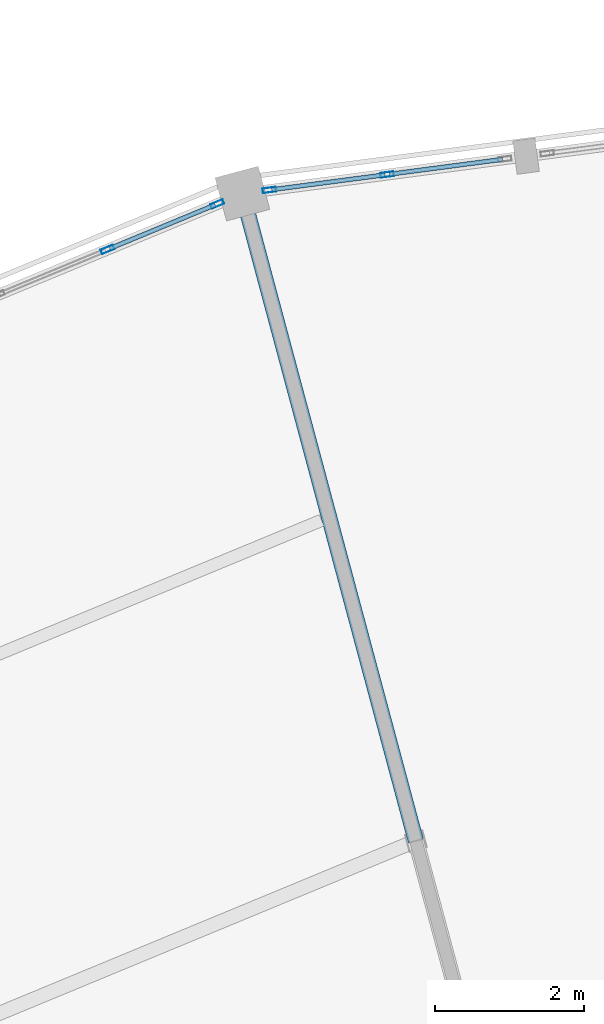
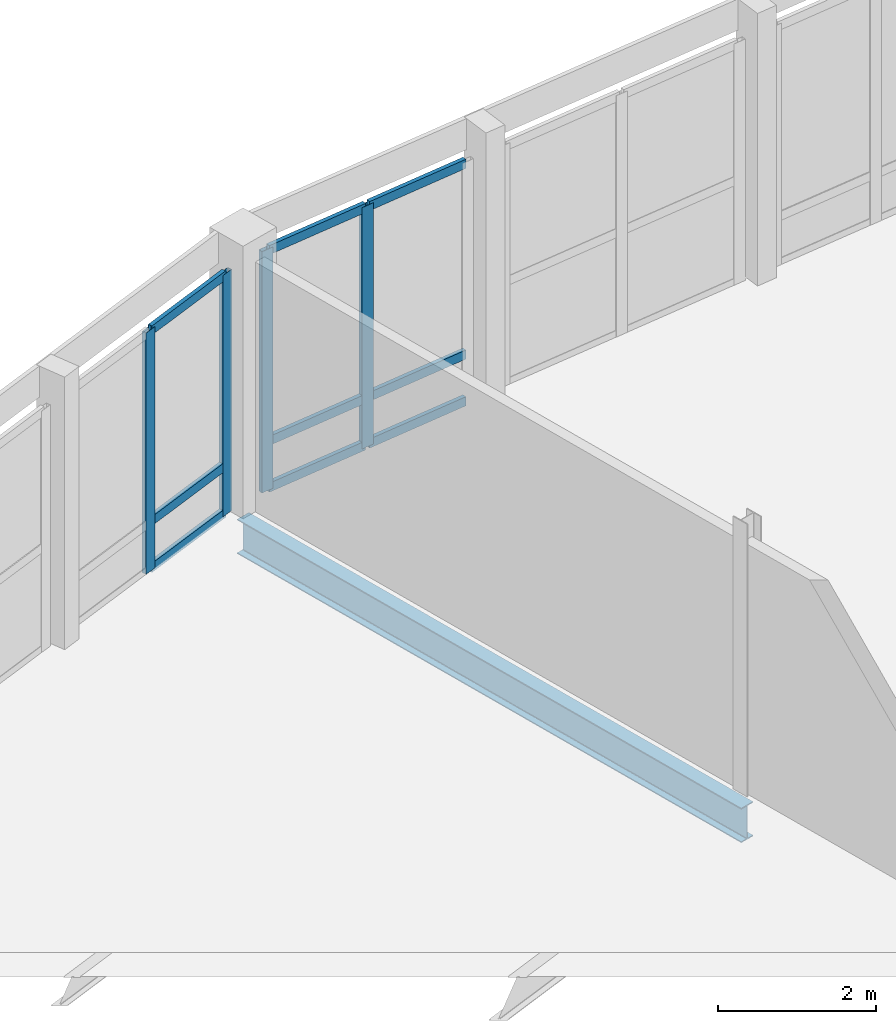
# One storey, part 96 of 200: 13 members, 1 beam, 2 elements without a shape of their own.
"""IFC4 building model written with IfcOpenShell, lengths in metres."""

import ifcopenshell
import ifcopenshell.guid

model = None  # the IFC model being written
_history = None  # IfcOwnerHistory: only IFC2X3 demands one
_inside = {}  # id of a spatial element -> (the spatial element, [elements in it])
_under = {}  # id of a project, library or spatial element -> (it, [spatial elements below it])
_declared = {}  # id of a project -> (the project, [libraries it declares])
_typed = {}  # id of a type object -> (the type object, [elements of that type])
_made_of = {}  # id of a material, layer set ... -> (it, [elements and type objects made of it])


def new_model(schema):
    """Start an empty IFC model of exactly this schema.

    Asked for "IFC4X3", IfcOpenShell would pick the latest addendum, in which some entities
    have other attributes; the version numbers below select the first issue.
    IFC2X3 requires an IfcOwnerHistory on every rooted entity: one is made here for all.
    """
    global model, _history
    if schema == "IFC4X3":
        model = ifcopenshell.file(schema_version=(4, 3, 0, 0))
    else:
        model = ifcopenshell.file(schema=schema)
    _inside.clear()
    _under.clear()
    _declared.clear()
    _typed.clear()
    _made_of.clear()
    _history = None
    if model.schema == "IFC2X3":
        org = make("IfcOrganization", Name="unknown")
        user = make(
            "IfcPersonAndOrganization",
            ThePerson=make("IfcPerson", FamilyName="unknown"),
            TheOrganization=org,
        )
        app = make(
            "IfcApplication",
            ApplicationDeveloper=org,
            Version="unknown",
            ApplicationFullName="unknown",
            ApplicationIdentifier="unknown",
        )
        _history = make(
            "IfcOwnerHistory",
            OwningUser=user,
            OwningApplication=app,
            ChangeAction="ADDED",
            CreationDate=0,
        )
    return model


def make(cls, **values):
    """One entity of the class cls with the attributes given. An attribute that is None is left unset."""
    return model.create_entity(
        cls, **{name: value for name, value in values.items() if value is not None}
    )


def rooted(cls, **values):
    """An entity with a GlobalId (a new one), such as an element, a storey or a relation."""
    return make(cls, GlobalId=ifcopenshell.guid.new(), OwnerHistory=_history, **values)


def si_unit(unit_type, name, prefix=None):
    """IfcSIUnit, for example si_unit("LENGTHUNIT", "METRE", prefix="MILLI")."""
    return make("IfcSIUnit", UnitType=unit_type, Prefix=prefix, Name=name)


def assignment(units):
    """IfcUnitAssignment: the units of a project."""
    return None if units is None else make("IfcUnitAssignment", Units=units)


def point(xyz):
    """IfcCartesianPoint."""
    return None if xyz is None else make("IfcCartesianPoint", Coordinates=xyz)


def direction(xyz):
    """IfcDirection."""
    return None if xyz is None else make("IfcDirection", DirectionRatios=xyz)


def frame(location, z_axis=None, x_axis=None):
    """IfcAxis2Placement3D, a coordinate frame: its origin and axes. An axis left out is left unset."""
    return make(
        "IfcAxis2Placement3D",
        Location=point(location),
        Axis=direction(z_axis),
        RefDirection=direction(x_axis),
    )


def frame_2d(location, x_axis=None):
    """IfcAxis2Placement2D, a coordinate frame in the plane: its origin and x axis."""
    return make(
        "IfcAxis2Placement2D", Location=point(location), RefDirection=direction(x_axis)
    )


def origin():
    """The frame at (0, 0, 0) with its axes left unset."""
    return frame((0.0, 0.0, 0.0))


def origin_2d():
    """The frame at (0, 0) in the plane with its x axis left unset."""
    return frame_2d((0.0, 0.0))


def place(relative_to, where):
    """IfcLocalPlacement: puts the frame where relative to a parent placement (None: the world)."""
    return make(
        "IfcLocalPlacement", PlacementRelTo=relative_to, RelativePlacement=where
    )


def context(
    kind, dimensions, precision=None, world=None, true_north=None, identifier=None
):
    """IfcGeometricRepresentationContext, for example the 3D "Model" context."""
    return make(
        "IfcGeometricRepresentationContext",
        ContextIdentifier=identifier,
        ContextType=kind,
        CoordinateSpaceDimension=dimensions,
        Precision=precision,
        WorldCoordinateSystem=world,
        TrueNorth=true_north,
    )


def subcontext(parent, identifier, kind, view, scale=None):
    """IfcGeometricRepresentationSubContext, for example "Body" below "Model"."""
    return make(
        "IfcGeometricRepresentationSubContext",
        ContextIdentifier=identifier,
        ContextType=kind,
        ParentContext=parent,
        TargetScale=scale,
        TargetView=view,
    )


def project(units=None, contexts=None):
    """IfcProject with its units and contexts."""
    return rooted(
        "IfcProject",
        Name="project",
        RepresentationContexts=contexts,
        UnitsInContext=assignment(units),
    )


def spatial(cls, under=None, at=None, **own):
    """A site, building, storey or space (cls), placed at a placement, below another one or the project."""
    s = rooted(cls, ObjectPlacement=at, **own)
    if under is not None:
        _under.setdefault(under.id(), (under, []))[1].append(s)
    return s


def profile(cls, at=None, kind="AREA", **sizes):
    """A parametric profile (cls). Its sizes go by their IFC names, for example OverallWidth=200.0."""
    return make(cls, ProfileType=kind, Position=at, **sizes)


def hollow_rectangle(**sizes):
    """IfcRectangleHollowProfileDef."""
    return profile("IfcRectangleHollowProfileDef", **sizes)


def i_section(**sizes):
    """IfcIShapeProfileDef."""
    return profile("IfcIShapeProfileDef", **sizes)


def extrude(swept, where, along, depth):
    """IfcExtrudedAreaSolid: the profile swept, set in the frame where, extruded along a direction by depth."""
    return make(
        "IfcExtrudedAreaSolid",
        SweptArea=swept,
        Position=where,
        ExtrudedDirection=direction(along),
        Depth=depth,
    )


def shape(context_of_items, identifier, shape_type, items):
    """IfcShapeRepresentation: the items that make up one representation, for example the "Body"."""
    return make(
        "IfcShapeRepresentation",
        ContextOfItems=context_of_items,
        RepresentationIdentifier=identifier,
        RepresentationType=shape_type,
        Items=items,
    )


def material(Name=None, Category=None):
    """IfcMaterial."""
    return make("IfcMaterial", Name=Name, Category=Category)


def material_profile(
    of_material, cross_section, Name=None, Category=None, Priority=None
):
    """IfcMaterialProfile: a cross section and its material."""
    return make(
        "IfcMaterialProfile",
        Name=Name,
        Material=of_material,
        Profile=cross_section,
        Priority=Priority,
        Category=Category,
    )


def profile_set(profiles, Name=None, composite=None):
    """IfcMaterialProfileSet."""
    return make(
        "IfcMaterialProfileSet",
        Name=Name,
        MaterialProfiles=profiles,
        CompositeProfile=composite,
    )


def made_of(thing, what):
    """Note that an element or type object is made of a material, layer set ...; save() writes the relation."""
    if what is not None:
        _made_of.setdefault(what.id(), (what, []))[1].append(thing)
    return thing


def type_object(cls, material=None, **own):
    """A type object (cls), such as IfcWallType, which elements share."""
    return made_of(rooted(cls, **own), material)


def element(
    cls,
    number,
    at=None,
    inside=None,
    cuts=None,
    type_object=None,
    material=None,
    context=None,
    identifier="Body",
    shape_type=None,
    held_by="IfcProductDefinitionShape",
    body=None,
    shapes=None,
    **own,
):
    """One element of the class cls, such as IfcWall. Its Tag is "e" and its number.

    at: its placement. inside: the storey or other place that contains it. cuts: it is an
    opening in that element (IfcRelVoidsElement). A single representation is given by context,
    identifier, shape_type and body (its items); several are given by shapes. held_by: the class
    of the entity that holds the representations. save() writes the other relations.
    """
    e = rooted(cls, Tag="e%d" % number, ObjectPlacement=at, **own)
    if body is not None:
        shapes = [shape(context, identifier, shape_type, body)]
    if shapes is not None:
        e.Representation = make(held_by, Representations=shapes)
    if inside is not None:
        _inside.setdefault(inside.id(), (inside, []))[1].append(e)
    if cuts is not None:
        rooted(
            "IfcRelVoidsElement", RelatingBuildingElement=cuts, RelatedOpeningElement=e
        )
    if type_object is not None:
        _typed.setdefault(type_object.id(), (type_object, []))[1].append(e)
    return made_of(e, material)


def aggregate(whole, parts):
    """IfcRelAggregates: a whole, such as a stair, and the parts it consists of."""
    return rooted("IfcRelAggregates", RelatingObject=whole, RelatedObjects=parts)


def save(model, path):
    """Write the relations noted so far, then the file.

    IfcRelAggregates (storeys below a building ...), IfcRelContainedInSpatialStructure (elements
    in a storey), IfcRelDefinesByType, IfcRelAssociatesMaterial and IfcRelDeclares: one each for
    every whole, place, type object, material and project.
    """
    for whole, parts in _under.values():
        aggregate(whole, parts)
    for where, things in _inside.values():
        rooted(
            "IfcRelContainedInSpatialStructure",
            RelatedElements=things,
            RelatingStructure=where,
        )
    for kind, things in _typed.values():
        rooted("IfcRelDefinesByType", RelatedObjects=things, RelatingType=kind)
    for what, things in _made_of.values():
        rooted("IfcRelAssociatesMaterial", RelatedObjects=things, RelatingMaterial=what)
    for by, libraries in _declared.values():
        rooted("IfcRelDeclares", RelatingContext=by, RelatedDefinitions=libraries)
    model.write(path)


model = new_model("IFC4")

# Units and contexts
model_context = context("Model", 3, precision=1e-05, world=origin(), true_north=direction((0.0, 1.0)))
body_context = subcontext(model_context, "Body", "Model", "MODEL_VIEW")
ifc_project = project(units=[si_unit("LENGTHUNIT", "METRE"), si_unit("AREAUNIT", "SQUARE_METRE"), si_unit("VOLUMEUNIT", "CUBIC_METRE"), si_unit("PLANEANGLEUNIT", "RADIAN"), si_unit("MASSUNIT", "GRAM", prefix="KILO")], contexts=[model_context])

# Site, building, storey
site_placement = place(None, origin())
site = spatial("IfcSite", under=ifc_project, at=site_placement, CompositionType="ELEMENT")
building_placement = place(site_placement, origin())
building = spatial("IfcBuilding", under=site, at=building_placement, Name="Vondelvale Polytechnic", CompositionType="ELEMENT")
storey_placement = place(building_placement, frame((0.0, 0.0, 13.800048828125)))
storey = spatial("IfcBuildingStorey", under=building, at=storey_placement, Name="L03", CompositionType="ELEMENT", Elevation=13.800048828125)

# Beam
ifc_material_1 = material(Name="Steel 300PLUS (fy = 300 MPa)", Category="steel")
ifc_material_profile_1 = material_profile(ifc_material_1, i_section(OverallWidth=0.208984375, OverallDepth=0.532958984375, WebThickness=0.01025390625, FlangeThickness=0.015625, FilletRadius=0.013916015625, at=origin_2d()), Name="530UB92.4")
ifc_profile_set_1 = profile_set([ifc_material_profile_1], Name="Steel 300PLUS (fy = 300 MPa)")
beam_type = type_object("IfcBeamType", Name="BM-UB530", PredefinedType="BEAM", material=ifc_profile_set_1)
beam_placement = place(storey_placement, frame((92.423583984375, 107.7392578125, -0.5166015625), z_axis=(-0.25881563226, 0.965926740751, 0.0), x_axis=(-0.965926740751, -0.25881563226, 0.0)))
element("IfcBeam", 1, at=beam_placement, inside=storey, type_object=beam_type, Name="L03 RG B-11", PredefinedType="BEAM", context=body_context, shape_type="SweptSolid", body=[
    extrude(i_section(OverallWidth=0.208984375, OverallDepth=0.532958984375, WebThickness=0.01025390625, FlangeThickness=0.015625, FilletRadius=0.013916015625, at=origin_2d()), origin(), (0.0, 0.0, 1.0), 9.0),
])

# Curtain wall, members
ifc_material_2 = material(Name="Glulam GL18 structural Tasmanian oak (fb = 42 MPa)", Category="wood")
curtain_wall_type = type_object("IfcCurtainWallType", Name="CW-RING-OUTER", PredefinedType="NOTDEFINED", material=ifc_material_2)
curtain_wall_1_placement = place(storey_placement, origin())
curtain_wall_1 = element("IfcCurtainWall", 2, at=curtain_wall_1_placement, inside=storey, type_object=curtain_wall_type, Name="L03 architectural curtain wall CW-04-166", PredefinedType="NOTDEFINED")
ifc_material_3 = material(Name="Anodised extruded aluminium 6063-T6", Category="aluminium")
ifc_material_profile_2 = material_profile(ifc_material_3, hollow_rectangle(XDim=0.06494140625, YDim=0.179931640625, WallThickness=0.00390625, at=origin_2d()), Name="CW-MUL-180x65")
ifc_profile_set_2 = profile_set([ifc_material_profile_2], Name="Anodised extruded aluminium 6063-T6")
member_type_1 = type_object("IfcMemberType", Name="CW-MUL-65x180", PredefinedType="MULLION", material=ifc_profile_set_2)
member_1_placement = place(storey_placement, frame((92.037841796875, 116.6884765625, 0.0), z_axis=(0.0, 0.0, 1.0), x_axis=(0.130539547729, -0.991443102996, 0.0)))
member_1 = element("IfcMember", 3, at=member_1_placement, type_object=member_type_1, Name="CW-04-166 mullion 2", PredefinedType="MULLION", context=body_context, shape_type="SweptSolid", body=[
    extrude(hollow_rectangle(XDim=0.06494140625, YDim=0.179931640625, WallThickness=0.00390625, at=origin_2d()), origin(), (0.0, 0.0, 1.0), 3.719970703125),
])
member_2_placement = place(storey_placement, frame((90.45654296875, 116.480224609375, 0.0), z_axis=(0.0, 0.0, 1.0), x_axis=(0.130539547729, -0.991443102996, 0.0)))
member_2 = element("IfcMember", 4, at=member_2_placement, type_object=member_type_1, Name="CW-04-166 mullion 3", PredefinedType="MULLION", context=body_context, shape_type="SweptSolid", body=[
    extrude(hollow_rectangle(XDim=0.06494140625, YDim=0.179931640625, WallThickness=0.00390625, at=origin_2d()), origin(), (0.0, 0.0, 1.0), 3.719970703125),
])

curtain_wall_2_placement = place(storey_placement, origin())
curtain_wall_2 = element("IfcCurtainWall", 5, at=curtain_wall_2_placement, inside=storey, type_object=curtain_wall_type, Name="L03 architectural curtain wall CW-04-184", PredefinedType="NOTDEFINED")
member_3_placement = place(storey_placement, frame((89.7568359375, 116.29296875, 0.0), z_axis=(0.0, 0.0, 1.0), x_axis=(0.382677394529, -0.923882033442, 0.0)))
member_3 = element("IfcMember", 6, at=member_3_placement, type_object=member_type_1, Name="CW-04-184 mullion 1", PredefinedType="MULLION", context=body_context, shape_type="SweptSolid", body=[
    extrude(hollow_rectangle(XDim=0.06494140625, YDim=0.179931640625, WallThickness=0.00390625, at=origin_2d()), origin(), (0.0, 0.0, 1.0), 3.719970703125),
])
member_4_placement = place(storey_placement, frame((88.283203125, 115.6826171875, 0.0), z_axis=(0.0, 0.0, 1.0), x_axis=(0.382677394529, -0.923882033442, 0.0)))
member_4 = element("IfcMember", 7, at=member_4_placement, type_object=member_type_1, Name="CW-04-184 mullion 2", PredefinedType="MULLION", context=body_context, shape_type="SweptSolid", body=[
    extrude(hollow_rectangle(XDim=0.06494140625, YDim=0.179931640625, WallThickness=0.00390625, at=origin_2d()), origin(), (0.0, 0.0, 1.0), 3.719970703125),
])

# Member
ifc_material_profile_3 = material_profile(ifc_material_3, hollow_rectangle(XDim=0.06005859375, YDim=0.139892578125, WallThickness=0.00341796875, at=origin_2d()), Name="CW-TRN-140x60")
ifc_profile_set_3 = profile_set([ifc_material_profile_3], Name="Anodised extruded aluminium 6063-T6")
member_type_2 = type_object("IfcMemberType", Name="CW-TRN-60x140", PredefinedType="USERDEFINED", material=ifc_profile_set_3)
member_5_placement = place(storey_placement, frame((93.5869140625, 116.892333984375, 0.030029296875), z_axis=(-0.991443972703, -0.130532942165, 0.0), x_axis=(0.130532942165, -0.991443972703, 0.0)))
member_5 = element("IfcMember", 8, at=member_5_placement, type_object=member_type_2, Name="CW-04-166 transom 1.1", ObjectType="TRANSOM", PredefinedType="USERDEFINED", context=body_context, shape_type="SweptSolid", body=[
    extrude(hollow_rectangle(XDim=0.06005859375, YDim=0.139892578125, WallThickness=0.00341796875, at=origin_2d()), origin(), (0.0, 0.0, 1.0), 1.530029296875),
])

member_6_placement = place(storey_placement, frame((93.5869140625, 116.892333984375, 0.75), z_axis=(-0.991443972703, -0.130532942165, 0.0), x_axis=(0.130532942165, -0.991443972703, 0.0)))
member_6 = element("IfcMember", 9, at=member_6_placement, type_object=member_type_2, Name="CW-04-166 transom 1.2", ObjectType="TRANSOM", PredefinedType="USERDEFINED", context=body_context, shape_type="SweptSolid", body=[
    extrude(hollow_rectangle(XDim=0.06005859375, YDim=0.139892578125, WallThickness=0.00341796875, at=origin_2d()), origin(), (0.0, 0.0, 1.0), 1.530029296875),
])

member_7_placement = place(storey_placement, frame((93.5869140625, 116.892333984375, 3.68994140625), z_axis=(-0.991443972703, -0.130532942165, 0.0), x_axis=(0.130532942165, -0.991443972703, 0.0)))
member_7 = element("IfcMember", 10, at=member_7_placement, type_object=member_type_2, Name="CW-04-166 transom 1.3", ObjectType="TRANSOM", PredefinedType="USERDEFINED", context=body_context, shape_type="SweptSolid", body=[
    extrude(hollow_rectangle(XDim=0.06005859375, YDim=0.139892578125, WallThickness=0.00341796875, at=origin_2d()), origin(), (0.0, 0.0, 1.0), 1.530029296875),
])

member_8_placement = place(storey_placement, frame((92.005615234375, 116.684326171875, 0.030029296875), z_axis=(-0.99142603388, -0.13066912162, 0.0), x_axis=(0.13066912162, -0.99142603388, 0.0)))
member_8 = element("IfcMember", 11, at=member_8_placement, type_object=member_type_2, Name="CW-04-166 transom 2.1", ObjectType="TRANSOM", PredefinedType="USERDEFINED", context=body_context, shape_type="SweptSolid", body=[
    extrude(hollow_rectangle(XDim=0.06005859375, YDim=0.139892578125, WallThickness=0.00341796875, at=origin_2d()), origin(), (0.0, 0.0, 1.0), 1.5302734375),
])

member_9_placement = place(storey_placement, frame((92.005615234375, 116.684326171875, 0.75), z_axis=(-0.99142603388, -0.13066912162, 0.0), x_axis=(0.13066912162, -0.99142603388, 0.0)))
member_9 = element("IfcMember", 12, at=member_9_placement, type_object=member_type_2, Name="CW-04-166 transom 2.2", ObjectType="TRANSOM", PredefinedType="USERDEFINED", context=body_context, shape_type="SweptSolid", body=[
    extrude(hollow_rectangle(XDim=0.06005859375, YDim=0.139892578125, WallThickness=0.00341796875, at=origin_2d()), origin(), (0.0, 0.0, 1.0), 1.5302734375),
])

member_10_placement = place(storey_placement, frame((92.005615234375, 116.684326171875, 3.68994140625), z_axis=(-0.99142603388, -0.13066912162, 0.0), x_axis=(0.13066912162, -0.99142603388, 0.0)))
member_10 = element("IfcMember", 13, at=member_10_placement, type_object=member_type_2, Name="CW-04-166 transom 2.3", ObjectType="TRANSOM", PredefinedType="USERDEFINED", context=body_context, shape_type="SweptSolid", body=[
    extrude(hollow_rectangle(XDim=0.06005859375, YDim=0.139892578125, WallThickness=0.00341796875, at=origin_2d()), origin(), (0.0, 0.0, 1.0), 1.5302734375),
])

aggregate(curtain_wall_1, [member_1, member_2, member_5, member_6, member_7, member_8, member_9, member_10])

member_11_placement = place(storey_placement, frame((89.726806640625, 116.280517578125, 0.030029296875), z_axis=(-0.923839843027, -0.382779237206, 0.0), x_axis=(0.382779237206, -0.923839843027, 0.0)))
member_11 = element("IfcMember", 14, at=member_11_placement, type_object=member_type_2, Name="CW-04-184 transom 1.1", ObjectType="TRANSOM", PredefinedType="USERDEFINED", context=body_context, shape_type="SweptSolid", body=[
    extrude(hollow_rectangle(XDim=0.06005859375, YDim=0.139892578125, WallThickness=0.00341796875, at=origin_2d()), origin(), (0.0, 0.0, 1.0), 1.530029296875),
])

member_12_placement = place(storey_placement, frame((89.726806640625, 116.280517578125, 0.75), z_axis=(-0.923839843027, -0.382779237206, 0.0), x_axis=(0.382779237206, -0.923839843027, 0.0)))
member_12 = element("IfcMember", 15, at=member_12_placement, type_object=member_type_2, Name="CW-04-184 transom 1.2", ObjectType="TRANSOM", PredefinedType="USERDEFINED", context=body_context, shape_type="SweptSolid", body=[
    extrude(hollow_rectangle(XDim=0.06005859375, YDim=0.139892578125, WallThickness=0.00341796875, at=origin_2d()), origin(), (0.0, 0.0, 1.0), 1.530029296875),
])

member_13_placement = place(storey_placement, frame((89.726806640625, 116.280517578125, 3.68994140625), z_axis=(-0.923839843027, -0.382779237206, 0.0), x_axis=(0.382779237206, -0.923839843027, 0.0)))
member_13 = element("IfcMember", 16, at=member_13_placement, type_object=member_type_2, Name="CW-04-184 transom 1.3", ObjectType="TRANSOM", PredefinedType="USERDEFINED", context=body_context, shape_type="SweptSolid", body=[
    extrude(hollow_rectangle(XDim=0.06005859375, YDim=0.139892578125, WallThickness=0.00341796875, at=origin_2d()), origin(), (0.0, 0.0, 1.0), 1.530029296875),
])

aggregate(curtain_wall_2, [member_3, member_4, member_11, member_12, member_13])

save(model, "model.ifc")
